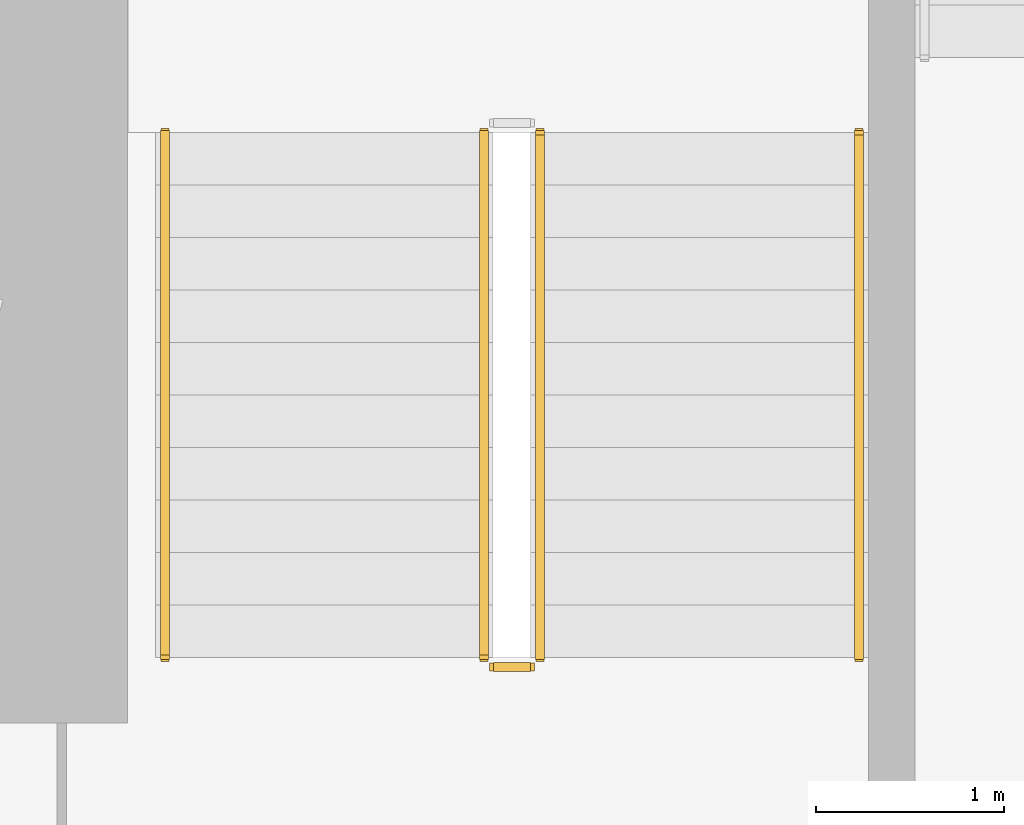
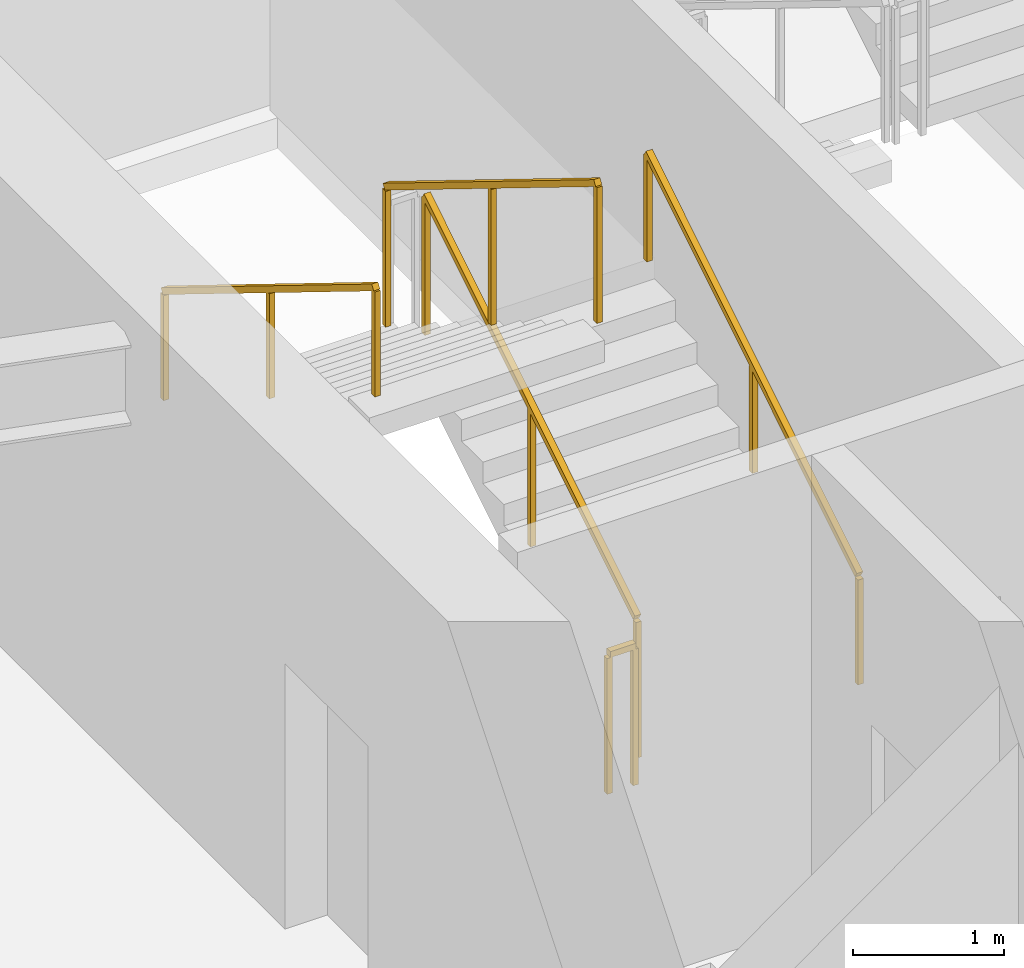
# One storey, part 24 of 27: 5 railings.
"""IFC4 building model written with IfcOpenShell, lengths in metres."""

from ifc_helpers import new_model, si_unit, direction, frame, origin, origin_2d, place, context, subcontext, project, spatial, rectangle, extrude, material, type_object, element, save


model = new_model("IFC4")

# Units and contexts
model_context = context("Model", 3, precision=1e-05, world=origin(), true_north=direction((0.0, 1.0)))
body_context = subcontext(model_context, "Body", "Model", "MODEL_VIEW")
ifc_project = project(units=[si_unit("LENGTHUNIT", "METRE"), si_unit("AREAUNIT", "SQUARE_METRE"), si_unit("VOLUMEUNIT", "CUBIC_METRE"), si_unit("PLANEANGLEUNIT", "RADIAN"), si_unit("MASSUNIT", "GRAM", prefix="KILO")], contexts=[model_context])

# Site, building, storey
site_placement = place(None, origin())
site = spatial("IfcSite", under=ifc_project, at=site_placement, CompositionType="ELEMENT")
building_placement = place(site_placement, origin())
building = spatial("IfcBuilding", under=site, at=building_placement, Name="Zuhravey Tower", CompositionType="ELEMENT")
storey_placement = place(building_placement, frame((0.0, 0.0, 188.39990234375)))
storey = spatial("IfcBuildingStorey", under=building, at=storey_placement, Name="L47", CompositionType="ELEMENT", Elevation=188.39990234375)

# Railings
ifc_material_1 = material(Name="Brushed stainless steel", Category="steel")
railing_type_1 = type_object("IfcRailingType", Name="Stair Wall Handrail 900", PredefinedType="HANDRAIL", material=ifc_material_1)
railing_1_placement = place(storey_placement, frame((29.75, 33.199951171875, 0.1728515625)))
element("IfcRailing", 1, at=railing_1_placement, inside=storey, type_object=railing_type_1, Name="L47 ST1 stair handrail 1", PredefinedType="HANDRAIL", context=body_context, shape_type="SweptSolid", body=[
    extrude(rectangle(XDim=0.048095703125, YDim=0.048095703125, at=origin_2d()), frame((0.0, 0.001708984375, 0.876953125), z_axis=(0.0, 0.851089632645, 0.525020415988), x_axis=(-1.0, 0.0, 0.0)), (0.0, 0.0, 1.0), 3.285888671875),
    extrude(rectangle(XDim=0.0419921875, YDim=0.0419921875, at=origin_2d()), origin(), (0.0, 0.0, 1.0), 0.849853515625),
    extrude(rectangle(XDim=0.0419921875, YDim=0.0419921875, at=origin_2d()), frame((0.0, 1.39990234375, 0.86376953125)), (0.0, 0.0, 1.0), 0.849853515625),
    extrude(rectangle(XDim=0.0419921875, YDim=0.0419921875, at=origin_2d()), frame((0.0, 2.800048828125, 1.727294921875)), (0.0, 0.0, 1.0), 0.849853515625),
])
railing_2_placement = place(storey_placement, frame((26.050048828125, 36.0, 2.07275390625)))
element("IfcRailing", 2, at=railing_2_placement, inside=storey, type_object=railing_type_1, Name="L47 ST1 stair handrail 2", PredefinedType="HANDRAIL", context=body_context, shape_type="SweptSolid", body=[
    extrude(rectangle(XDim=0.048095703125, YDim=0.048095703125, at=origin_2d()), frame((0.0, -0.001708984375, 0.876953125), z_axis=(0.0, -0.851089632645, 0.525020415988), x_axis=(1.0, 0.0, 0.0)), (0.0, 0.0, 1.0), 3.285888671875),
    extrude(rectangle(XDim=0.0419921875, YDim=0.0419921875, at=origin_2d()), origin(), (0.0, 0.0, 1.0), 0.849853515625),
    extrude(rectangle(XDim=0.0419921875, YDim=0.0419921875, at=origin_2d()), frame((0.0, -1.39990234375, 0.86376953125)), (0.0, 0.0, 1.0), 0.849853515625),
    extrude(rectangle(XDim=0.0419921875, YDim=0.0419921875, at=origin_2d()), frame((0.0, -2.800048828125, 1.727294921875)), (0.0, 0.0, 1.0), 0.849853515625),
])
ifc_material_2 = material(Name="Painted tubular steel", Category="steel")
railing_type_2 = type_object("IfcRailingType", Name="Stair Well Guardrail 1150", PredefinedType="GUARDRAIL", material=ifc_material_2)
railing_3_placement = place(storey_placement, frame((28.050048828125, 33.199951171875, 0.1728515625)))
element("IfcRailing", 3, at=railing_3_placement, inside=storey, type_object=railing_type_2, Name="L47 ST1 stair guard 1", PredefinedType="GUARDRAIL", context=body_context, shape_type="SweptSolid", body=[
    extrude(rectangle(XDim=0.048095703125, YDim=0.048095703125, at=origin_2d()), frame((0.0, 0.001708984375, 1.126953125), z_axis=(0.0, 0.851089632645, 0.525020415988), x_axis=(-1.0, 0.0, 0.0)), (0.0, 0.0, 1.0), 3.285888671875),
    extrude(rectangle(XDim=0.0419921875, YDim=0.0419921875, at=origin_2d()), origin(), (0.0, 0.0, 1.0), 1.099853515625),
    extrude(rectangle(XDim=0.0419921875, YDim=0.0419921875, at=origin_2d()), frame((0.0, 1.39990234375, 0.86376953125)), (0.0, 0.0, 1.0), 1.099853515625),
    extrude(rectangle(XDim=0.0419921875, YDim=0.0419921875, at=origin_2d()), frame((0.0, 2.800048828125, 1.727294921875)), (0.0, 0.0, 1.0), 1.099853515625),
])
railing_4_placement = place(storey_placement, frame((27.75, 36.0, 2.07275390625)))
element("IfcRailing", 4, at=railing_4_placement, inside=storey, type_object=railing_type_2, Name="L47 ST1 stair guard 3", PredefinedType="GUARDRAIL", context=body_context, shape_type="SweptSolid", body=[
    extrude(rectangle(XDim=0.048095703125, YDim=0.048095703125, at=origin_2d()), frame((0.0, -0.001708984375, 1.126953125), z_axis=(0.0, -0.851089632645, 0.525020415988), x_axis=(1.0, 0.0, 0.0)), (0.0, 0.0, 1.0), 3.285888671875),
    extrude(rectangle(XDim=0.0419921875, YDim=0.0419921875, at=origin_2d()), origin(), (0.0, 0.0, 1.0), 1.099853515625),
    extrude(rectangle(XDim=0.0419921875, YDim=0.0419921875, at=origin_2d()), frame((0.0, -1.39990234375, 0.86376953125)), (0.0, 0.0, 1.0), 1.099853515625),
    extrude(rectangle(XDim=0.0419921875, YDim=0.0419921875, at=origin_2d()), frame((0.0, -2.800048828125, 1.727294921875)), (0.0, 0.0, 1.0), 1.099853515625),
])
railing_5_placement = place(storey_placement, frame((28.0, 33.14990234375, 0.0)))
element("IfcRailing", 5, at=railing_5_placement, inside=storey, type_object=railing_type_2, Name="L47 ST1 stair guard 4", PredefinedType="GUARDRAIL", context=body_context, shape_type="SweptSolid", body=[
    extrude(rectangle(XDim=0.048095703125, YDim=0.048095703125, at=origin_2d()), frame((-0.001953125, 0.0, 1.1259765625), z_axis=(-1.0, 0.0, 0.0), x_axis=(0.0, -1.0, 0.0)), (0.0, 0.0, 1.0), 0.196044921875),
    extrude(rectangle(XDim=0.0419921875, YDim=0.0419921875, at=origin_2d()), origin(), (0.0, 0.0, 1.0), 1.099853515625),
    extrude(rectangle(XDim=0.0419921875, YDim=0.0419921875, at=origin_2d()), frame((-0.199951171875, 0.0, 0.0)), (0.0, 0.0, 1.0), 1.099853515625),
])

save(model, "model.ifc")
